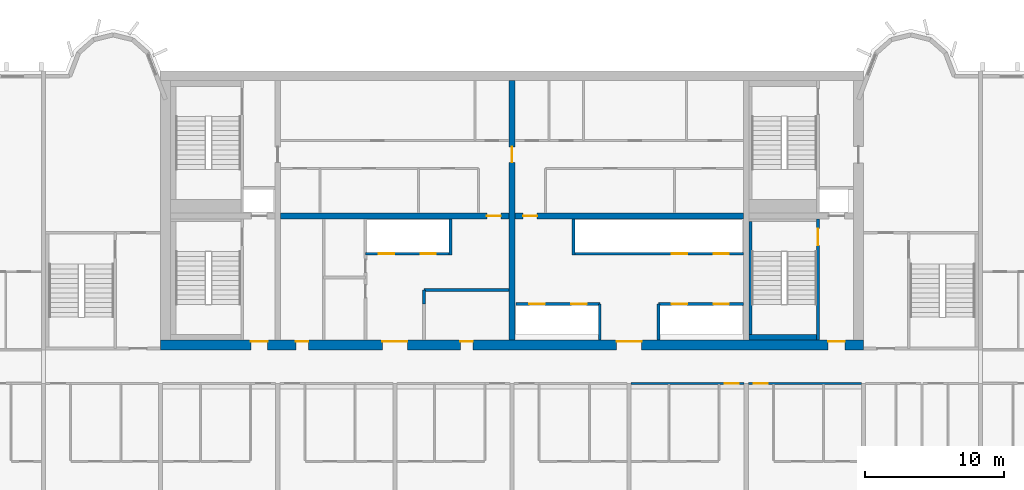
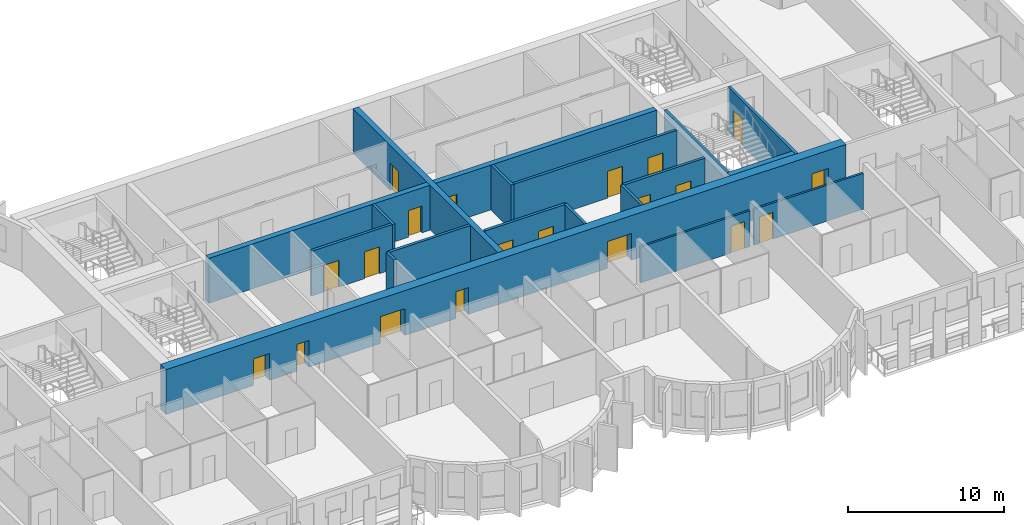
# One storey, part 6 of 13: 20 doors, 19 walls, 20 openings.
"""IFC4 building model written with IfcOpenShell, lengths in metres."""

from ifc_helpers import new_model, si_unit, direction, frame, frame_2d, origin, place, context, subcontext, project, spatial, rectangle, extrude, source, transform, mapped, material, layer, layer_set, type_object, element, fill, save


model = new_model("IFC4")

# Units and contexts
model_context = context("Model", 3, precision=1e-05, world=origin(), true_north=direction((0.0, 1.0)))
body_context = subcontext(model_context, "Body", "Model", "MODEL_VIEW")
ifc_project = project(units=[si_unit("LENGTHUNIT", "METRE"), si_unit("AREAUNIT", "SQUARE_METRE"), si_unit("VOLUMEUNIT", "CUBIC_METRE"), si_unit("PLANEANGLEUNIT", "RADIAN"), si_unit("MASSUNIT", "GRAM", prefix="KILO")], contexts=[model_context])

# Site, building, storey
site_placement = place(None, origin())
site = spatial("IfcSite", under=ifc_project, at=site_placement, CompositionType="ELEMENT")
building_placement = place(site_placement, origin())
building = spatial("IfcBuilding", under=site, at=building_placement, Name="Vanashikhar Sky Hotel", CompositionType="ELEMENT")
storey_placement = place(building_placement, frame((0.0, 0.0, 189.60009765625)))
storey = spatial("IfcBuildingStorey", under=building, at=storey_placement, Name="L46", CompositionType="ELEMENT", Elevation=189.60009765625)

# Wall, opening, door
ifc_material_1 = material(Name="Concrete M60", Category="concrete")
ifc_layer_1 = layer(ifc_material_1, 0.39990234375)
ifc_layer_set_1 = layer_set([ifc_layer_1], Name="RC core inner wall 400 Concrete M60")
wall_type_1 = type_object("IfcWallType", Name="RC core inner wall 400 Concrete M60", PredefinedType="SHEAR", material=ifc_layer_set_1)
shared_shape_1 = source(origin(), body_context, "Body", "SweptSolid", [
    extrude(rectangle(XDim=18.60009765625, YDim=0.39990234375, at=frame_2d((9.300048828125, 0.0))), origin(), (0.0, 0.0, 1.0), 3.52001953125),
])
wall_1_placement = place(storey_placement, frame((50.39990234375, 22.699951171875, 0.0), z_axis=(0.0, 0.0, 1.0), x_axis=(0.0, 1.0, 0.0)))
wall_1 = element("IfcWall", 1, at=wall_1_placement, inside=storey, type_object=wall_type_1, Name="KW-L46-KX2", PredefinedType="SHEAR", context=body_context, shape_type="MappedRepresentation", body=[
    mapped(shared_shape_1, transform((0.0, 0.0, 0.0), scale=1.0)),
])
shared_shape_2 = source(origin(), body_context, "Body", "SweptSolid", [
    extrude(rectangle(XDim=1.10009765625, YDim=2.10009765625, at=frame_2d((0.550048828125, 1.050048828125))), frame((0.0, 0.2099609375, 0.0), z_axis=(0.0, -1.0, 0.0), x_axis=(1.0, 0.0, 0.0)), (0.0, 0.0, 1.0), 0.419921875),
])
opening_1_placement = place(wall_1_placement, frame((12.75, 0.0, 0.0)))
opening_1 = element("IfcOpeningElement", 2, at=opening_1_placement, cuts=wall_1, Name="Opening DC-4-C", PredefinedType="OPENING", context=body_context, shape_type="MappedRepresentation", body=[
    mapped(shared_shape_2, transform((0.0, 0.0, 0.0), scale=1.0)),
])
ifc_material_2 = material(Name="Steel", Category="steel")
door_type_1 = type_object("IfcDoorType", Name="Service door 1100 FD60", OperationType="NOTDEFINED", PredefinedType="DOOR", material=ifc_material_2)
shared_shape_3 = source(origin(), body_context, "Body", "SweptSolid", [
    extrude(rectangle(XDim=1.10009765625, YDim=2.10009765625, at=frame_2d((0.550048828125, 1.050048828125))), frame((0.0, 0.02490234375, 0.0), z_axis=(0.0, -1.0, 0.0), x_axis=(1.0, 0.0, 0.0)), (0.0, 0.0, 1.0), 0.050048828125),
])
door_1_placement = place(opening_1_placement, origin())
door_1 = element("IfcDoor", 3, at=door_1_placement, inside=storey, type_object=door_type_1, Name="Service door 1100 FD60", OperationType="SINGLE_SWING_RIGHT", OverallHeight=2.10009765625, OverallWidth=1.10009765625, PredefinedType="DOOR", context=body_context, shape_type="MappedRepresentation", body=[
    mapped(shared_shape_3, transform((0.0, 0.0, 0.0), scale=1.0)),
])
fill(opening_1, door_1)

# Wall, openings, doors
ifc_layer_2 = layer(ifc_material_1, 0.699951171875)
ifc_layer_set_2 = layer_set([ifc_layer_2], Name="RC core shell wall 700 Concrete M60")
wall_type_2 = type_object("IfcWallType", Name="RC core shell wall 700 Concrete M60", PredefinedType="SHEAR", material=ifc_layer_set_2)
shared_shape_4 = source(origin(), body_context, "Body", "SweptSolid", [
    extrude(rectangle(XDim=50.400146484375, YDim=0.699951171875, at=frame_2d((25.2001953125, 0.0))), origin(), (0.0, 0.0, 1.0), 3.52001953125),
])
wall_2_placement = place(storey_placement, frame((25.199951171875, 22.35009765625, 0.0), z_axis=(0.0, 0.0, 1.0), x_axis=(1.0, 0.0, 0.0)))
wall_2 = element("IfcWall", 4, at=wall_2_placement, inside=storey, type_object=wall_type_2, Name="KW-L46-KS", PredefinedType="SHEAR", context=body_context, shape_type="MappedRepresentation", body=[
    mapped(shared_shape_4, transform((0.0, 0.0, 0.0), scale=1.0)),
])
shared_shape_5 = source(origin(), body_context, "Body", "SweptSolid", [
    extrude(rectangle(XDim=1.800048828125, YDim=2.10009765625, at=frame_2d((0.89990234375, 1.050048828125))), frame((0.0, 0.35986328125, 0.0), z_axis=(0.0, -1.0, 0.0), x_axis=(1.0, 0.0, 0.0)), (0.0, 0.0, 1.0), 0.719970703125),
])
opening_2_placement = place(wall_2_placement, frame((15.89990234375, 0.0, 0.0)))
opening_2 = element("IfcOpeningElement", 5, at=opening_2_placement, cuts=wall_2, Name="Opening DC-3-A", PredefinedType="OPENING", context=body_context, shape_type="MappedRepresentation", body=[
    mapped(shared_shape_5, transform((0.0, 0.0, 0.0), scale=1.0)),
])
shared_shape_6 = source(origin(), body_context, "Body", "SweptSolid", [
    extrude(rectangle(XDim=0.89990234375, YDim=2.10009765625, at=frame_2d((0.449951171875, 1.050048828125))), frame((0.0, 0.35986328125, 0.0), z_axis=(0.0, -1.0, 0.0), x_axis=(1.0, 0.0, 0.0)), (0.0, 0.0, 1.0), 0.719970703125),
])
opening_3_placement = place(wall_2_placement, frame((9.699951171875, 0.0, 0.0)))
opening_3 = element("IfcOpeningElement", 6, at=opening_3_placement, cuts=wall_2, Name="Opening DC-4-A", PredefinedType="OPENING", context=body_context, shape_type="MappedRepresentation", body=[
    mapped(shared_shape_6, transform((0.0, 0.0, 0.0), scale=1.0)),
])
opening_4_placement = place(wall_2_placement, frame((21.5, 0.0, 0.0)))
opening_4 = element("IfcOpeningElement", 7, at=opening_4_placement, cuts=wall_2, Name="Opening DC-4-A", PredefinedType="OPENING", context=body_context, shape_type="MappedRepresentation", body=[
    mapped(shared_shape_6, transform((0.0, 0.0, 0.0), scale=1.0)),
])
opening_5_placement = place(wall_2_placement, frame((32.699951171875, 0.0, 0.0)))
opening_5 = element("IfcOpeningElement", 8, at=opening_5_placement, cuts=wall_2, Name="Opening DC-3-A", PredefinedType="OPENING", context=body_context, shape_type="MappedRepresentation", body=[
    mapped(shared_shape_5, transform((0.0, 0.0, 0.0), scale=1.0)),
])
shared_shape_7 = source(origin(), body_context, "Body", "SweptSolid", [
    extrude(rectangle(XDim=1.199951171875, YDim=2.10009765625, at=frame_2d((0.60009765625, 1.050048828125))), frame((0.0, 0.35986328125, 0.0), z_axis=(0.0, -1.0, 0.0), x_axis=(1.0, 0.0, 0.0)), (0.0, 0.0, 1.0), 0.719970703125),
])
opening_6_placement = place(wall_2_placement, frame((6.47509765625, 0.0, 0.0)))
opening_6 = element("IfcOpeningElement", 9, at=opening_6_placement, cuts=wall_2, Name="Opening DC-2", PredefinedType="OPENING", context=body_context, shape_type="MappedRepresentation", body=[
    mapped(shared_shape_7, transform((0.0, 0.0, 0.0), scale=1.0)),
])
opening_7_placement = place(wall_2_placement, frame((47.875, 0.0, 0.0)))
opening_7 = element("IfcOpeningElement", 10, at=opening_7_placement, cuts=wall_2, Name="Opening DC-2", PredefinedType="OPENING", context=body_context, shape_type="MappedRepresentation", body=[
    mapped(shared_shape_7, transform((0.0, 0.0, 0.0), scale=1.0)),
])
ifc_material_3 = material(Name="Glass", Category="glass")
door_type_2 = type_object("IfcDoorType", Name="Lift lobby entrance door 1800 FD30S", OperationType="NOTDEFINED", PredefinedType="DOOR", material=ifc_material_3)
shared_shape_8 = source(origin(), body_context, "Body", "SweptSolid", [
    extrude(rectangle(XDim=1.800048828125, YDim=2.10009765625, at=frame_2d((0.89990234375, 1.050048828125))), frame((0.0, 0.27490234375, 0.0), z_axis=(0.0, -1.0, 0.0), x_axis=(1.0, 0.0, 0.0)), (0.0, 0.0, 1.0), 0.050048828125),
])
door_2_placement = place(opening_2_placement, origin())
door_2 = element("IfcDoor", 11, at=door_2_placement, inside=storey, type_object=door_type_2, Name="Lift lobby entrance door 1800 FD30S", OperationType="DOUBLE_DOOR_SINGLE_SWING", OverallHeight=2.10009765625, OverallWidth=1.800048828125, PredefinedType="DOOR", context=body_context, shape_type="MappedRepresentation", body=[
    mapped(shared_shape_8, transform((0.0, 0.0, 0.0), scale=1.0)),
])
fill(opening_2, door_2)
door_3_placement = place(opening_5_placement, origin())
door_3 = element("IfcDoor", 12, at=door_3_placement, inside=storey, type_object=door_type_2, Name="Lift lobby entrance door 1800 FD30S", OperationType="DOUBLE_DOOR_SINGLE_SWING", OverallHeight=2.10009765625, OverallWidth=1.800048828125, PredefinedType="DOOR", context=body_context, shape_type="MappedRepresentation", body=[
    mapped(shared_shape_8, transform((0.0, 0.0, 0.0), scale=1.0)),
])
fill(opening_5, door_3)
door_type_3 = type_object("IfcDoorType", Name="Firefighting lobby door 1200 FD120", OperationType="NOTDEFINED", PredefinedType="DOOR", material=ifc_material_2)
shared_shape_9 = source(origin(), body_context, "Body", "SweptSolid", [
    extrude(rectangle(XDim=1.199951171875, YDim=2.10009765625, at=frame_2d((0.60009765625, 1.050048828125))), frame((0.0, 0.27490234375, 0.0), z_axis=(0.0, -1.0, 0.0), x_axis=(1.0, 0.0, 0.0)), (0.0, 0.0, 1.0), 0.050048828125),
])
door_4_placement = place(opening_6_placement, origin())
door_4 = element("IfcDoor", 13, at=door_4_placement, inside=storey, type_object=door_type_3, Name="Firefighting lobby door 1200 FD120", OperationType="SINGLE_SWING_RIGHT", OverallHeight=2.10009765625, OverallWidth=1.199951171875, PredefinedType="DOOR", context=body_context, shape_type="MappedRepresentation", body=[
    mapped(shared_shape_9, transform((0.0, 0.0, 0.0), scale=1.0)),
])
fill(opening_6, door_4)
door_5_placement = place(opening_7_placement, origin())
door_5 = element("IfcDoor", 14, at=door_5_placement, inside=storey, type_object=door_type_3, Name="Firefighting lobby door 1200 FD120", OperationType="SINGLE_SWING_RIGHT", OverallHeight=2.10009765625, OverallWidth=1.199951171875, PredefinedType="DOOR", context=body_context, shape_type="MappedRepresentation", body=[
    mapped(shared_shape_9, transform((0.0, 0.0, 0.0), scale=1.0)),
])
fill(opening_7, door_5)
door_type_4 = type_object("IfcDoorType", Name="Service door 900 FD60", OperationType="NOTDEFINED", PredefinedType="DOOR", material=ifc_material_2)
shared_shape_10 = source(origin(), body_context, "Body", "SweptSolid", [
    extrude(rectangle(XDim=0.89990234375, YDim=2.10009765625, at=frame_2d((0.449951171875, 1.050048828125))), frame((0.0, 0.27490234375, 0.0), z_axis=(0.0, -1.0, 0.0), x_axis=(1.0, 0.0, 0.0)), (0.0, 0.0, 1.0), 0.050048828125),
])
door_6_placement = place(opening_3_placement, origin())
door_6 = element("IfcDoor", 15, at=door_6_placement, inside=storey, type_object=door_type_4, Name="Service door 900 FD60", OperationType="SINGLE_SWING_LEFT", OverallHeight=2.10009765625, OverallWidth=0.89990234375, PredefinedType="DOOR", context=body_context, shape_type="MappedRepresentation", body=[
    mapped(shared_shape_10, transform((0.0, 0.0, 0.0), scale=1.0)),
])
fill(opening_3, door_6)
door_7_placement = place(opening_4_placement, origin())
door_7 = element("IfcDoor", 16, at=door_7_placement, inside=storey, type_object=door_type_4, Name="Service door 900 FD60", OperationType="SINGLE_SWING_RIGHT", OverallHeight=2.10009765625, OverallWidth=0.89990234375, PredefinedType="DOOR", context=body_context, shape_type="MappedRepresentation", body=[
    mapped(shared_shape_10, transform((0.0, 0.0, 0.0), scale=1.0)),
])
fill(opening_4, door_7)

# Wall, opening, door
shared_shape_11 = source(origin(), body_context, "Body", "SweptSolid", [
    extrude(rectangle(XDim=16.39990234375, YDim=0.39990234375, at=frame_2d((8.199951171875, 0.0))), origin(), (0.0, 0.0, 1.0), 3.52001953125),
])
wall_3_placement = place(storey_placement, frame((33.800048828125, 31.60009765625, 0.0), z_axis=(0.0, 0.0, 1.0), x_axis=(1.0, 0.0, 0.0)))
wall_3 = element("IfcWall", 17, at=wall_3_placement, inside=storey, type_object=wall_type_1, Name="KW-L46-KY2", PredefinedType="SHEAR", context=body_context, shape_type="MappedRepresentation", body=[
    mapped(shared_shape_11, transform((0.0, 0.0, 0.0), scale=1.0)),
])
shared_shape_12 = source(origin(), body_context, "Body", "SweptSolid", [
    extrude(rectangle(XDim=1.0, YDim=2.10009765625, at=frame_2d((0.5, 1.050048828125))), frame((0.0, 0.2099609375, 0.0), z_axis=(0.0, -1.0, 0.0), x_axis=(1.0, 0.0, 0.0)), (0.0, 0.0, 1.0), 0.419921875),
])
opening_8_placement = place(wall_3_placement, frame((14.800048828125, 0.0, 0.0)))
opening_8 = element("IfcOpeningElement", 18, at=opening_8_placement, cuts=wall_3, Name="Opening DC-4", PredefinedType="OPENING", context=body_context, shape_type="MappedRepresentation", body=[
    mapped(shared_shape_12, transform((0.0, 0.0, 0.0), scale=1.0)),
])
door_type_5 = type_object("IfcDoorType", Name="Service door 1000 FD60", OperationType="NOTDEFINED", PredefinedType="DOOR", material=ifc_material_2)
shared_shape_13 = source(origin(), body_context, "Body", "SweptSolid", [
    extrude(rectangle(XDim=1.0, YDim=2.10009765625, at=frame_2d((0.5, 1.050048828125))), frame((0.0, 0.02490234375, 0.0), z_axis=(0.0, -1.0, 0.0), x_axis=(1.0, 0.0, 0.0)), (0.0, 0.0, 1.0), 0.050048828125),
])
door_8_placement = place(opening_8_placement, origin())
door_8 = element("IfcDoor", 19, at=door_8_placement, inside=storey, type_object=door_type_5, Name="Service door 1000 FD60", OperationType="SINGLE_SWING_LEFT", OverallHeight=2.10009765625, OverallWidth=1.0, PredefinedType="DOOR", context=body_context, shape_type="MappedRepresentation", body=[
    mapped(shared_shape_13, transform((0.0, 0.0, 0.0), scale=1.0)),
])
fill(opening_8, door_8)

wall_4_placement = place(storey_placement, frame((50.60009765625, 31.60009765625, 0.0), z_axis=(0.0, 0.0, 1.0), x_axis=(1.0, 0.0, 0.0)))
wall_4 = element("IfcWall", 20, at=wall_4_placement, inside=storey, type_object=wall_type_1, Name="KW-L46-KY3", PredefinedType="SHEAR", context=body_context, shape_type="MappedRepresentation", body=[
    mapped(shared_shape_11, transform((0.0, 0.0, 0.0), scale=1.0)),
])
opening_9_placement = place(wall_4_placement, frame((0.60009765625, 0.0, 0.0)))
opening_9 = element("IfcOpeningElement", 21, at=opening_9_placement, cuts=wall_4, Name="Opening DC-4", PredefinedType="OPENING", context=body_context, shape_type="MappedRepresentation", body=[
    mapped(shared_shape_12, transform((0.0, 0.0, 0.0), scale=1.0)),
])
door_9_placement = place(opening_9_placement, origin())
door_9 = element("IfcDoor", 22, at=door_9_placement, inside=storey, type_object=door_type_5, Name="Service door 1000 FD60", OperationType="SINGLE_SWING_RIGHT", OverallHeight=2.10009765625, OverallWidth=1.0, PredefinedType="DOOR", context=body_context, shape_type="MappedRepresentation", body=[
    mapped(shared_shape_13, transform((0.0, 0.0, 0.0), scale=1.0)),
])
fill(opening_9, door_9)

# Wall, openings, doors
ifc_material_4 = material(Name="Concrete M40", Category="concrete")
ifc_layer_3 = layer(ifc_material_4, 0.199951171875)
ifc_layer_set_3 = layer_set([ifc_layer_3], Name="Shaft wall 200")
wall_type_3 = type_object("IfcWallType", Name="Shaft wall 200", PredefinedType="SOLIDWALL", material=ifc_layer_set_3)
shared_shape_14 = source(origin(), body_context, "Body", "SweptSolid", [
    extrude(rectangle(XDim=6.0, YDim=0.199951171875, at=frame_2d((3.0, 0.0))), origin(), (0.0, 0.0, 1.0), 3.52001953125),
])
wall_5_placement = place(storey_placement, frame((39.89990234375, 28.89990234375, 0.0), z_axis=(0.0, 0.0, 1.0), x_axis=(1.0, 0.0, 0.0)))
wall_5 = element("IfcWall", 23, at=wall_5_placement, inside=storey, type_object=wall_type_3, Name="Shaft wall 200", PredefinedType="SOLIDWALL", context=body_context, shape_type="MappedRepresentation", body=[
    mapped(shared_shape_14, transform((0.0, 0.0, 0.0), scale=1.0)),
])
shared_shape_15 = source(origin(), body_context, "Body", "SweptSolid", [
    extrude(rectangle(XDim=1.10009765625, YDim=2.10009765625, at=frame_2d((0.550048828125, 1.050048828125))), frame((0.0, 0.10986328125, 0.0), z_axis=(0.0, -1.0, 0.0), x_axis=(1.0, 0.0, 0.0)), (0.0, 0.0, 1.0), 0.219970703125),
])
opening_10_placement = place(wall_5_placement, frame((0.949951171875, 0.0, 0.0)))
opening_10 = element("IfcOpeningElement", 24, at=opening_10_placement, cuts=wall_5, Name="Opening LD", PredefinedType="OPENING", context=body_context, shape_type="MappedRepresentation", body=[
    mapped(shared_shape_15, transform((0.0, 0.0, 0.0), scale=1.0)),
])
opening_11_placement = place(wall_5_placement, frame((3.949951171875, 0.0, 0.0)))
opening_11 = element("IfcOpeningElement", 25, at=opening_11_placement, cuts=wall_5, Name="Opening LD", PredefinedType="OPENING", context=body_context, shape_type="MappedRepresentation", body=[
    mapped(shared_shape_15, transform((0.0, 0.0, 0.0), scale=1.0)),
])
ifc_material_5 = material(Name="Stainless steel", Category="steel")
door_type_6 = type_object("IfcDoorType", Name="Lift landing door 1100", OperationType="NOTDEFINED", PredefinedType="DOOR", material=ifc_material_5)
door_10_placement = place(opening_10_placement, origin())
door_10 = element("IfcDoor", 26, at=door_10_placement, inside=storey, type_object=door_type_6, Name="Lift landing door 1100", OperationType="SLIDING_TO_LEFT", OverallHeight=2.10009765625, OverallWidth=1.10009765625, PredefinedType="DOOR", context=body_context, shape_type="MappedRepresentation", body=[
    mapped(shared_shape_3, transform((0.0, 0.0, 0.0), scale=1.0)),
])
fill(opening_10, door_10)
door_11_placement = place(opening_11_placement, origin())
door_11 = element("IfcDoor", 27, at=door_11_placement, inside=storey, type_object=door_type_6, Name="Lift landing door 1100", OperationType="SLIDING_TO_RIGHT", OverallHeight=2.10009765625, OverallWidth=1.10009765625, PredefinedType="DOOR", context=body_context, shape_type="MappedRepresentation", body=[
    mapped(shared_shape_3, transform((0.0, 0.0, 0.0), scale=1.0)),
])
fill(opening_11, door_11)

wall_6_placement = place(storey_placement, frame((56.699951171875, 25.300048828125, 0.0), z_axis=(0.0, 0.0, 1.0), x_axis=(-1.0, 0.0, 0.0)))
wall_6 = element("IfcWall", 28, at=wall_6_placement, inside=storey, type_object=wall_type_3, Name="Shaft wall 200", PredefinedType="SOLIDWALL", context=body_context, shape_type="MappedRepresentation", body=[
    mapped(shared_shape_14, transform((0.0, 0.0, 0.0), scale=1.0)),
])
opening_12_placement = place(wall_6_placement, frame((0.949951171875, 0.0, 0.0)))
opening_12 = element("IfcOpeningElement", 29, at=opening_12_placement, cuts=wall_6, Name="Opening LD", PredefinedType="OPENING", context=body_context, shape_type="MappedRepresentation", body=[
    mapped(shared_shape_15, transform((0.0, 0.0, 0.0), scale=1.0)),
])
opening_13_placement = place(wall_6_placement, frame((3.949951171875, 0.0, 0.0)))
opening_13 = element("IfcOpeningElement", 30, at=opening_13_placement, cuts=wall_6, Name="Opening LD", PredefinedType="OPENING", context=body_context, shape_type="MappedRepresentation", body=[
    mapped(shared_shape_15, transform((0.0, 0.0, 0.0), scale=1.0)),
])
door_12_placement = place(opening_12_placement, origin())
door_12 = element("IfcDoor", 31, at=door_12_placement, inside=storey, type_object=door_type_6, Name="Lift landing door 1100", OperationType="SLIDING_TO_RIGHT", OverallHeight=2.10009765625, OverallWidth=1.10009765625, PredefinedType="DOOR", context=body_context, shape_type="MappedRepresentation", body=[
    mapped(shared_shape_3, transform((0.0, 0.0, 0.0), scale=1.0)),
])
fill(opening_12, door_12)
door_13_placement = place(opening_13_placement, origin())
door_13 = element("IfcDoor", 32, at=door_13_placement, inside=storey, type_object=door_type_6, Name="Lift landing door 1100", OperationType="SLIDING_TO_LEFT", OverallHeight=2.10009765625, OverallWidth=1.10009765625, PredefinedType="DOOR", context=body_context, shape_type="MappedRepresentation", body=[
    mapped(shared_shape_3, transform((0.0, 0.0, 0.0), scale=1.0)),
])
fill(opening_13, door_13)

# Walls
ifc_material_6 = material(Name="Concrete M50", Category="concrete")
ifc_layer_4 = layer(ifc_material_6, 0.199951171875)
ifc_layer_set_4 = layer_set([ifc_layer_4], Name="Stair infill wall 200")
wall_type_4 = type_object("IfcWallType", Name="Stair infill wall 200", PredefinedType="SOLIDWALL", material=ifc_layer_set_4)
shared_shape_16 = source(origin(), body_context, "Body", "SweptSolid", [
    extrude(rectangle(XDim=8.099853515625, YDim=0.199951171875, at=frame_2d((4.0498046875, 0.0))), origin(), (0.0, 0.0, 1.0), 3.52001953125),
])
wall_7_placement = place(storey_placement, frame((67.5, 23.10009765625, 0.0), z_axis=(0.0, 0.0, 1.0), x_axis=(0.0, 1.0, 0.0)))
element("IfcWall", 33, at=wall_7_placement, inside=storey, type_object=wall_type_4, Name="Stair infill wall 200", PredefinedType="SOLIDWALL", context=body_context, shape_type="MappedRepresentation", body=[
    mapped(shared_shape_16, transform((0.0, 0.0, 0.0), scale=1.0)),
])
shared_shape_17 = source(origin(), body_context, "Body", "SweptSolid", [
    extrude(rectangle(XDim=2.60009765625, YDim=0.199951171875, at=frame_2d((1.300048828125, 0.0))), origin(), (0.0, 0.0, 1.0), 3.52001953125),
])
for number, where, z_axis, x_axis, name in (
    (34, (60.89990234375, 22.699951171875, 0.0), (0.0, 0.0, 1.0), (0.0, 1.0, 0.0), "Shaft wall 200"),
    (35, (56.699951171875, 22.699951171875, 0.0), (0.0, 0.0, 1.0), (0.0, 1.0, 0.0), "Shaft wall 200"),
):
    element("IfcWall", number, at=place(storey_placement, frame(where, z_axis=z_axis, x_axis=x_axis)), inside=storey, type_object=wall_type_3, Name=name, PredefinedType="SOLIDWALL", context=body_context, shape_type="MappedRepresentation", body=[
        mapped(shared_shape_17, transform((0.0, 0.0, 0.0), scale=1.0)),
    ])
shared_shape_18 = source(origin(), body_context, "Body", "SweptSolid", [
    extrude(rectangle(XDim=2.599853515625, YDim=0.199951171875, at=frame_2d((1.2998046875, 0.0))), origin(), (0.0, 0.0, 1.0), 3.52001953125),
])
for number, where, z_axis, x_axis, name in (
    (36, (46.0, 28.800048828125, 0.0), (0.0, 0.0, 1.0), (0.0, 1.0, 0.0), "Shaft wall 200"),
    (37, (54.800048828125, 28.800048828125, 0.0), (0.0, 0.0, 1.0), (0.0, 1.0, 0.0), "Shaft wall 200"),
):
    element("IfcWall", number, at=place(storey_placement, frame(where, z_axis=z_axis, x_axis=x_axis)), inside=storey, type_object=wall_type_3, Name=name, PredefinedType="SOLIDWALL", context=body_context, shape_type="MappedRepresentation", body=[
        mapped(shared_shape_18, transform((0.0, 0.0, 0.0), scale=1.0)),
    ])
ifc_material_7 = material(Name="Gypsum board partition")
ifc_layer_5 = layer(ifc_material_7, 0.14990234375)
ifc_layer_set_5 = layer_set([ifc_layer_5], Name="Service partition 150")
wall_type_5 = type_object("IfcWallType", Name="Service partition 150", PredefinedType="PARTITIONING", material=ifc_layer_set_5)
shared_shape_19 = source(origin(), body_context, "Body", "SweptSolid", [
    extrude(rectangle(XDim=6.099853515625, YDim=0.199951171875, at=frame_2d((3.0498046875, 0.0))), origin(), (0.0, 0.0, 1.0), 3.52001953125),
])
wall_8_placement = place(storey_placement, frame((44.10009765625, 26.300048828125, 0.0), z_axis=(0.0, 0.0, 1.0), x_axis=(1.0, 0.0, 0.0)))
element("IfcWall", 38, at=wall_8_placement, inside=storey, type_object=wall_type_5, Name="Service partition 150", PredefinedType="PARTITIONING", context=body_context, shape_type="MappedRepresentation", body=[
    mapped(shared_shape_19, transform((0.0, 0.0, 0.0), scale=1.0)),
])
shared_shape_20 = source(origin(), body_context, "Body", "SweptSolid", [
    extrude(rectangle(XDim=1.0, YDim=0.199951171875, at=frame_2d((0.5, 0.0))), origin(), (0.0, 0.0, 1.0), 3.52001953125),
])
wall_9_placement = place(storey_placement, frame((44.10009765625, 25.300048828125, 0.0), z_axis=(0.0, 0.0, 1.0), x_axis=(0.0, 1.0, 0.0)))
element("IfcWall", 39, at=wall_9_placement, inside=storey, type_object=wall_type_5, Name="Service partition 150", PredefinedType="PARTITIONING", context=body_context, shape_type="MappedRepresentation", body=[
    mapped(shared_shape_20, transform((0.0, 0.0, 0.0), scale=1.0)),
])

# Wall, openings, doors
shared_shape_21 = source(origin(), body_context, "Body", "SweptSolid", [
    extrude(rectangle(XDim=6.10009765625, YDim=0.199951171875, at=frame_2d((3.050048828125, 0.0))), origin(), (0.0, 0.0, 1.0), 3.52001953125),
])
wall_10_placement = place(storey_placement, frame((67.0, 25.300048828125, 0.0), z_axis=(0.0, 0.0, 1.0), x_axis=(-1.0, 0.0, 0.0)))
wall_10 = element("IfcWall", 40, at=wall_10_placement, inside=storey, type_object=wall_type_3, Name="Shaft wall 200", PredefinedType="SOLIDWALL", context=body_context, shape_type="MappedRepresentation", body=[
    mapped(shared_shape_21, transform((0.0, 0.0, 0.0), scale=1.0)),
])
opening_14_placement = place(wall_10_placement, frame((1.050048828125, 0.0, 0.0)))
opening_14 = element("IfcOpeningElement", 41, at=opening_14_placement, cuts=wall_10, Name="Opening LD", PredefinedType="OPENING", context=body_context, shape_type="MappedRepresentation", body=[
    mapped(shared_shape_15, transform((0.0, 0.0, 0.0), scale=1.0)),
])
opening_15_placement = place(wall_10_placement, frame((4.050048828125, 0.0, 0.0)))
opening_15 = element("IfcOpeningElement", 42, at=opening_15_placement, cuts=wall_10, Name="Opening LD", PredefinedType="OPENING", context=body_context, shape_type="MappedRepresentation", body=[
    mapped(shared_shape_15, transform((0.0, 0.0, 0.0), scale=1.0)),
])
door_14_placement = place(opening_14_placement, origin())
door_14 = element("IfcDoor", 43, at=door_14_placement, inside=storey, type_object=door_type_6, Name="Lift landing door 1100", OperationType="SLIDING_TO_RIGHT", OverallHeight=2.10009765625, OverallWidth=1.10009765625, PredefinedType="DOOR", context=body_context, shape_type="MappedRepresentation", body=[
    mapped(shared_shape_3, transform((0.0, 0.0, 0.0), scale=1.0)),
])
fill(opening_14, door_14)
door_15_placement = place(opening_15_placement, origin())
door_15 = element("IfcDoor", 44, at=door_15_placement, inside=storey, type_object=door_type_6, Name="Lift landing door 1100", OperationType="SLIDING_TO_LEFT", OverallHeight=2.10009765625, OverallWidth=1.10009765625, PredefinedType="DOOR", context=body_context, shape_type="MappedRepresentation", body=[
    mapped(shared_shape_3, transform((0.0, 0.0, 0.0), scale=1.0)),
])
fill(opening_15, door_15)

shared_shape_22 = source(origin(), body_context, "Body", "SweptSolid", [
    extrude(rectangle(XDim=12.10009765625, YDim=0.199951171875, at=frame_2d((6.050048828125, 0.0))), origin(), (0.0, 0.0, 1.0), 3.52001953125),
])
wall_11_placement = place(storey_placement, frame((67.0, 28.89990234375, 0.0), z_axis=(0.0, 0.0, 1.0), x_axis=(-1.0, 0.0, 0.0)))
wall_11 = element("IfcWall", 45, at=wall_11_placement, inside=storey, type_object=wall_type_3, Name="Shaft wall 200", PredefinedType="SOLIDWALL", context=body_context, shape_type="MappedRepresentation", body=[
    mapped(shared_shape_22, transform((0.0, 0.0, 0.0), scale=1.0)),
])
opening_16_placement = place(wall_11_placement, frame((1.050048828125, 0.0, 0.0)))
opening_16 = element("IfcOpeningElement", 46, at=opening_16_placement, cuts=wall_11, Name="Opening LD", PredefinedType="OPENING", context=body_context, shape_type="MappedRepresentation", body=[
    mapped(shared_shape_15, transform((0.0, 0.0, 0.0), scale=1.0)),
])
opening_17_placement = place(wall_11_placement, frame((4.050048828125, 0.0, 0.0)))
opening_17 = element("IfcOpeningElement", 47, at=opening_17_placement, cuts=wall_11, Name="Opening LD", PredefinedType="OPENING", context=body_context, shape_type="MappedRepresentation", body=[
    mapped(shared_shape_15, transform((0.0, 0.0, 0.0), scale=1.0)),
])
door_16_placement = place(opening_16_placement, origin())
door_16 = element("IfcDoor", 48, at=door_16_placement, inside=storey, type_object=door_type_6, Name="Lift landing door 1100", OperationType="SLIDING_TO_RIGHT", OverallHeight=2.10009765625, OverallWidth=1.10009765625, PredefinedType="DOOR", context=body_context, shape_type="MappedRepresentation", body=[
    mapped(shared_shape_3, transform((0.0, 0.0, 0.0), scale=1.0)),
])
fill(opening_16, door_16)
door_17_placement = place(opening_17_placement, origin())
door_17 = element("IfcDoor", 49, at=door_17_placement, inside=storey, type_object=door_type_6, Name="Lift landing door 1100", OperationType="SLIDING_TO_LEFT", OverallHeight=2.10009765625, OverallWidth=1.10009765625, PredefinedType="DOOR", context=body_context, shape_type="MappedRepresentation", body=[
    mapped(shared_shape_3, transform((0.0, 0.0, 0.0), scale=1.0)),
])
fill(opening_17, door_17)

# Wall, opening, door
ifc_layer_6 = layer(ifc_material_6, 0.199951171875)
ifc_layer_set_6 = layer_set([ifc_layer_6], Name="Stair wall 200")
wall_type_6 = type_object("IfcWallType", Name="Stair wall 200", PredefinedType="SOLIDWALL", material=ifc_layer_set_6)
shared_shape_23 = source(origin(), body_context, "Body", "SweptSolid", [
    extrude(rectangle(XDim=8.699951171875, YDim=0.199951171875, at=frame_2d((4.35009765625, 0.0))), origin(), (0.0, 0.0, 1.0), 3.52001953125),
])
wall_12_placement = place(storey_placement, frame((72.35009765625, 22.699951171875, 0.0), z_axis=(0.0, 0.0, 1.0), x_axis=(0.0, 1.0, 0.0)))
wall_12 = element("IfcWall", 50, at=wall_12_placement, inside=storey, type_object=wall_type_6, Name="Stair wall 200", PredefinedType="SOLIDWALL", context=body_context, shape_type="MappedRepresentation", body=[
    mapped(shared_shape_23, transform((0.0, 0.0, 0.0), scale=1.0)),
])
shared_shape_24 = source(origin(), body_context, "Body", "SweptSolid", [
    extrude(rectangle(XDim=1.199951171875, YDim=2.10009765625, at=frame_2d((0.60009765625, 1.050048828125))), frame((0.0, 0.10986328125, 0.0), z_axis=(0.0, -1.0, 0.0), x_axis=(1.0, 0.0, 0.0)), (0.0, 0.0, 1.0), 0.219970703125),
])
opening_18_placement = place(wall_12_placement, frame((6.800048828125, 0.0, 0.0)))
opening_18 = element("IfcOpeningElement", 51, at=opening_18_placement, cuts=wall_12, Name="Opening DC-1", PredefinedType="OPENING", context=body_context, shape_type="MappedRepresentation", body=[
    mapped(shared_shape_24, transform((0.0, 0.0, 0.0), scale=1.0)),
])
door_type_7 = type_object("IfcDoorType", Name="Stair door 1200 FD120", OperationType="NOTDEFINED", PredefinedType="DOOR", material=ifc_material_2)
shared_shape_25 = source(origin(), body_context, "Body", "SweptSolid", [
    extrude(rectangle(XDim=1.199951171875, YDim=2.10009765625, at=frame_2d((0.60009765625, 1.050048828125))), frame((0.0, 0.02490234375, 0.0), z_axis=(0.0, -1.0, 0.0), x_axis=(1.0, 0.0, 0.0)), (0.0, 0.0, 1.0), 0.050048828125),
])
door_18_placement = place(opening_18_placement, origin())
door_18 = element("IfcDoor", 52, at=door_18_placement, inside=storey, type_object=door_type_7, Name="Stair door 1200 FD120", OperationType="SINGLE_SWING_LEFT", OverallHeight=2.10009765625, OverallWidth=1.199951171875, PredefinedType="DOOR", context=body_context, shape_type="MappedRepresentation", body=[
    mapped(shared_shape_25, transform((0.0, 0.0, 0.0), scale=1.0)),
])
fill(opening_18, door_18)

# Wall
ifc_layer_7 = layer(ifc_material_6, 0.39990234375)
ifc_layer_set_7 = layer_set([ifc_layer_7], Name="Stair infill wall 400")
wall_type_7 = type_object("IfcWallType", Name="Stair infill wall 400", PredefinedType="SOLIDWALL", material=ifc_layer_set_7)
shared_shape_26 = source(origin(), body_context, "Body", "SweptSolid", [
    extrude(rectangle(XDim=4.85009765625, YDim=0.39990234375, at=frame_2d((2.425048828125, 0.0))), origin(), (0.0, 0.0, 1.0), 3.52001953125),
])
wall_13_placement = place(storey_placement, frame((67.39990234375, 22.89990234375, 0.0), z_axis=(0.0, 0.0, 1.0), x_axis=(1.0, 0.0, 0.0)))
element("IfcWall", 53, at=wall_13_placement, inside=storey, type_object=wall_type_7, Name="Stair infill wall 400", PredefinedType="SOLIDWALL", context=body_context, shape_type="MappedRepresentation", body=[
    mapped(shared_shape_26, transform((0.0, 0.0, 0.0), scale=1.0)),
])

# Wall, opening, door
ifc_material_8 = material(Name="Gypsum plasterboard partition")
ifc_layer_8 = layer(ifc_material_8, 0.14990234375)
ifc_layer_set_8 = layer_set([ifc_layer_8], Name="Corridor and demising partition 150")
wall_type_8 = type_object("IfcWallType", Name="Corridor and demising partition 150", PredefinedType="PARTITIONING", material=ifc_layer_set_8)
shared_shape_27 = source(origin(), body_context, "Body", "SweptSolid", [
    extrude(rectangle(XDim=8.10009765625, YDim=0.14990234375, at=frame_2d((4.050048828125, 0.0))), origin(), (0.0, 0.0, 1.0), 2.81982421875),
])
wall_14_placement = place(storey_placement, frame((58.949951171875, 19.60009765625, 0.0), z_axis=(0.0, 0.0, 1.0), x_axis=(1.0, 0.0, 0.0)))
wall_14 = element("IfcWall", 54, at=wall_14_placement, inside=storey, type_object=wall_type_8, Name="W-L46-PW038", PredefinedType="PARTITIONING", context=body_context, shape_type="MappedRepresentation", body=[
    mapped(shared_shape_27, transform((0.0, 0.0, 0.0), scale=1.0)),
])
shared_shape_28 = source(origin(), body_context, "Body", "SweptSolid", [
    extrude(rectangle(XDim=1.0, YDim=2.10009765625, at=frame_2d((0.5, 1.050048828125))), frame((0.0, 0.0849609375, 0.0), z_axis=(0.0, -1.0, 0.0), x_axis=(1.0, 0.0, 0.0)), (0.0, 0.0, 1.0), 0.169921875),
])
opening_19_placement = place(wall_14_placement, frame((6.699951171875, 0.0, 0.0)))
opening_19 = element("IfcOpeningElement", 55, at=opening_19_placement, cuts=wall_14, Name="Opening D-01", PredefinedType="OPENING", context=body_context, shape_type="MappedRepresentation", body=[
    mapped(shared_shape_28, transform((0.0, 0.0, 0.0), scale=1.0)),
])
ifc_material_9 = material(Name="Timber fire door", Category="wood")
door_type_8 = type_object("IfcDoorType", Name="Guest entry door 1000 FD30S", OperationType="NOTDEFINED", PredefinedType="DOOR", material=ifc_material_9)
door_19_placement = place(opening_19_placement, origin())
door_19 = element("IfcDoor", 56, at=door_19_placement, inside=storey, type_object=door_type_8, Name="D-L46-023", OperationType="SINGLE_SWING_RIGHT", OverallHeight=2.10009765625, OverallWidth=1.0, PredefinedType="DOOR", context=body_context, shape_type="MappedRepresentation", body=[
    mapped(shared_shape_13, transform((0.0, 0.0, 0.0), scale=1.0)),
])
fill(opening_19, door_19)

shared_shape_29 = source(origin(), body_context, "Body", "SweptSolid", [
    extrude(rectangle(XDim=8.099853515625, YDim=0.14990234375, at=frame_2d((4.0498046875, 0.0))), origin(), (0.0, 0.0, 1.0), 2.81982421875),
])
wall_15_placement = place(storey_placement, frame((67.35009765625, 19.60009765625, 0.0), z_axis=(0.0, 0.0, 1.0), x_axis=(1.0, 0.0, 0.0)))
wall_15 = element("IfcWall", 57, at=wall_15_placement, inside=storey, type_object=wall_type_8, Name="W-L46-PW043", PredefinedType="PARTITIONING", context=body_context, shape_type="MappedRepresentation", body=[
    mapped(shared_shape_29, transform((0.0, 0.0, 0.0), scale=1.0)),
])
opening_20_placement = place(wall_15_placement, frame((0.39990234375, 0.0, 0.0)))
opening_20 = element("IfcOpeningElement", 58, at=opening_20_placement, cuts=wall_15, Name="Opening D-01", PredefinedType="OPENING", context=body_context, shape_type="MappedRepresentation", body=[
    mapped(shared_shape_28, transform((0.0, 0.0, 0.0), scale=1.0)),
])
door_20_placement = place(opening_20_placement, origin())
door_20 = element("IfcDoor", 59, at=door_20_placement, inside=storey, type_object=door_type_8, Name="D-L46-026", OperationType="SINGLE_SWING_LEFT", OverallHeight=2.10009765625, OverallWidth=1.0, PredefinedType="DOOR", context=body_context, shape_type="MappedRepresentation", body=[
    mapped(shared_shape_13, transform((0.0, 0.0, 0.0), scale=1.0)),
])
fill(opening_20, door_20)

save(model, "model.ifc")
